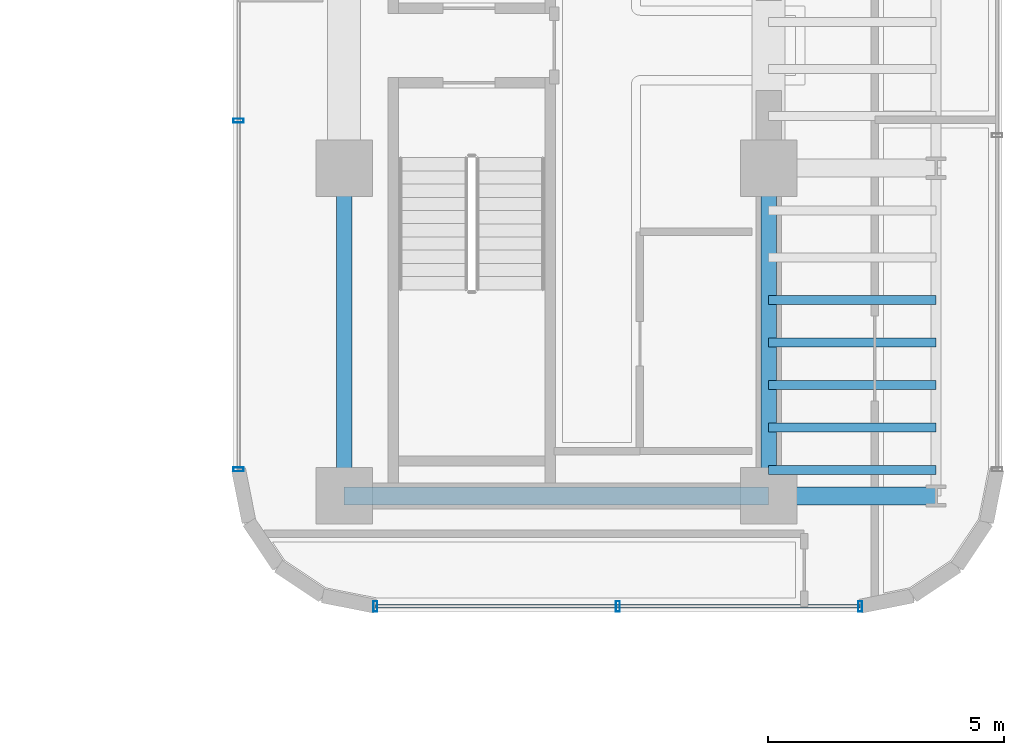
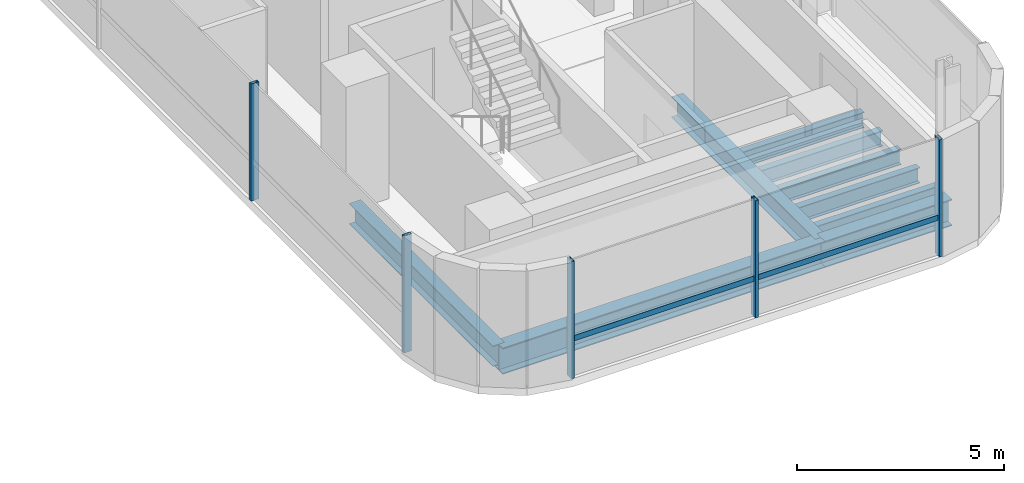
# One storey, part 13 of 34: 9 beams, 6 members, 2 elements without a shape of their own.
"""IFC4 building model written with IfcOpenShell, lengths in metres."""

from ifc_helpers import new_model, si_unit, direction, frame, origin, origin_2d, place, context, subcontext, project, spatial, hollow_rectangle, i_section, extrude, source, transform, mapped, material, material_profile, profile_set, type_object, element, aggregate, save


model = new_model("IFC4")

# Units and contexts
model_context = context("Model", 3, precision=1e-05, world=origin(), true_north=direction((0.0, 1.0)))
body_context = subcontext(model_context, "Body", "Model", "MODEL_VIEW")
ifc_project = project(units=[si_unit("LENGTHUNIT", "METRE"), si_unit("AREAUNIT", "SQUARE_METRE"), si_unit("VOLUMEUNIT", "CUBIC_METRE"), si_unit("PLANEANGLEUNIT", "RADIAN"), si_unit("MASSUNIT", "GRAM", prefix="KILO")], contexts=[model_context])

# Site, building, storey
site_placement = place(None, origin())
site = spatial("IfcSite", under=ifc_project, at=site_placement, CompositionType="ELEMENT")
building_placement = place(site_placement, origin())
building = spatial("IfcBuilding", under=site, at=building_placement, Name="Valdorenza Pilgrim Sanctuary Tower", CompositionType="ELEMENT")
storey_placement = place(building_placement, frame((0.0, 0.0, 164.89990234375)))
storey = spatial("IfcBuildingStorey", under=building, at=storey_placement, Name="L42", CompositionType="ELEMENT", Elevation=164.89990234375)

# Beams
ifc_material_1 = material(Name="Steel ASTM A992 Grade 50", Category="steel")
ifc_material_profile_1 = material_profile(ifc_material_1, i_section(OverallWidth=0.323974609375, OverallDepth=0.611083984375, WebThickness=0.0126953125, FlangeThickness=0.01904296875, at=origin_2d()), Name="W24X104")
ifc_profile_set_1 = profile_set([ifc_material_profile_1], Name="Steel ASTM A992 Grade 50")
beam_type_1 = type_object("IfcBeamType", Name="STR-BM-GRD-W24B", PredefinedType="BEAM", material=ifc_profile_set_1)
shared_shape_1 = source(origin(), body_context, "Body", "SweptSolid", [
    extrude(i_section(OverallWidth=0.323974609375, OverallDepth=0.611083984375, WebThickness=0.0126953125, FlangeThickness=0.01904296875, at=origin_2d()), origin(), (0.0, 0.0, 1.0), 6.949951171875),
])
for number, where, z_axis, x_axis, name in (
    (1, (15.85009765625, -9.550048828125, -0.54541015625), (0.0, 1.0, 0.0), (-1.0, 0.0, 0.0), "L42 Core Tie Girder CB-W-S1M0"),
    (2, (24.85009765625, -9.550048828125, -0.54541015625), (0.0, 1.0, 0.0), (-1.0, 0.0, 0.0), "L42 Core Tie Girder CB-E-S1M0"),
):
    element("IfcBeam", number, at=place(storey_placement, frame(where, z_axis=z_axis, x_axis=x_axis)), inside=storey, type_object=beam_type_1, Name=name, PredefinedType="BEAM", context=body_context, shape_type="MappedRepresentation", body=[
        mapped(shared_shape_1, transform((0.0, 0.0, 0.0), x_axis=(1.0, 0.0, 0.0), y_axis=(0.0, 1.0, 0.0), z_axis=(0.0, 0.0, 1.0), scale=1.0)),
    ])
ifc_material_profile_2 = material_profile(ifc_material_1, i_section(OverallWidth=0.382080078125, OverallDepth=0.779052734375, WebThickness=0.01806640625, FlangeThickness=0.030029296875, at=origin_2d()), Name="W30X191")
ifc_profile_set_2 = profile_set([ifc_material_profile_2], Name="Steel ASTM A992 Grade 50")
beam_type_2 = type_object("IfcBeamType", Name="STR-BM-GRD-W30", PredefinedType="BEAM", material=ifc_profile_set_2)
shared_shape_2 = source(origin(), body_context, "Body", "SweptSolid", [
    extrude(i_section(OverallWidth=0.382080078125, OverallDepth=0.779052734375, WebThickness=0.01806640625, FlangeThickness=0.030029296875, at=origin_2d()), origin(), (0.0, 0.0, 1.0), 9.0),
])
beam_1_placement = place(storey_placement, frame((15.85009765625, -9.550048828125, -0.62939453125), z_axis=(1.0, 0.0, 0.0), x_axis=(0.0, 1.0, 0.0)))
element("IfcBeam", 3, at=beam_1_placement, inside=storey, type_object=beam_type_2, Name="L42 Floor Girder CB-XC-S1", PredefinedType="BEAM", context=body_context, shape_type="MappedRepresentation", body=[
    mapped(shared_shape_2, transform((0.0, 0.0, 0.0), x_axis=(1.0, 0.0, 0.0), y_axis=(0.0, 1.0, 0.0), z_axis=(0.0, 0.0, 1.0), scale=1.0)),
])
shared_shape_3 = source(origin(), body_context, "Body", "SweptSolid", [
    extrude(i_section(OverallWidth=0.382080078125, OverallDepth=0.779052734375, WebThickness=0.01806640625, FlangeThickness=0.030029296875, at=origin_2d()), origin(), (0.0, 0.0, 1.0), 3.5498046875),
])
beam_2_placement = place(storey_placement, frame((24.85009765625, -9.550048828125, -0.62939453125), z_axis=(1.0, 0.0, 0.0), x_axis=(0.0, 1.0, 0.0)))
element("IfcBeam", 4, at=beam_2_placement, inside=storey, type_object=beam_type_2, Name="L42 Floor Girder WB-XE-S1", PredefinedType="BEAM", context=body_context, shape_type="MappedRepresentation", body=[
    mapped(shared_shape_3, transform((0.0, 0.0, 0.0), x_axis=(1.0, 0.0, 0.0), y_axis=(0.0, 1.0, 0.0), z_axis=(0.0, 0.0, 1.0), scale=1.0)),
])
ifc_material_profile_3 = material_profile(ifc_material_1, i_section(OverallWidth=0.19091796875, OverallDepth=0.45703125, WebThickness=0.009033203125, FlangeThickness=0.014404296875, at=origin_2d()), Name="W18X50")
ifc_profile_set_3 = profile_set([ifc_material_profile_3], Name="Steel ASTM A992 Grade 50")
beam_type_3 = type_object("IfcBeamType", Name="STR-BM-JST-W18B", PredefinedType="JOIST", material=ifc_profile_set_3)
shared_shape_4 = source(origin(), body_context, "Body", "SweptSolid", [
    extrude(i_section(OverallWidth=0.19091796875, OverallDepth=0.45703125, WebThickness=0.009033203125, FlangeThickness=0.014404296875, at=origin_2d()), origin(), (0.0, 0.0, 1.0), 3.5498046875),
])
for number, where, z_axis, x_axis, name in (
    (5, (24.85009765625, -9.0, -0.468505859375), (1.0, 0.0, 0.0), (0.0, 1.0, 0.0), "L42 Composite Floor Joist JST-WB-1"),
    (6, (24.85009765625, -8.10009765625, -0.468505859375), (1.0, 0.0, 0.0), (0.0, 1.0, 0.0), "L42 Composite Floor Joist JST-WB-2"),
    (7, (24.85009765625, -7.199951171875, -0.468505859375), (1.0, 0.0, 0.0), (0.0, 1.0, 0.0), "L42 Composite Floor Joist JST-WB-3"),
    (8, (24.85009765625, -6.300048828125, -0.468505859375), (1.0, 0.0, 0.0), (0.0, 1.0, 0.0), "L42 Composite Floor Joist JST-WB-4"),
    (9, (24.85009765625, -5.39990234375, -0.468505859375), (1.0, 0.0, 0.0), (0.0, 1.0, 0.0), "L42 Composite Floor Joist JST-WB-5"),
):
    element("IfcBeam", number, at=place(storey_placement, frame(where, z_axis=z_axis, x_axis=x_axis)), inside=storey, type_object=beam_type_3, Name=name, PredefinedType="JOIST", context=body_context, shape_type="MappedRepresentation", body=[
        mapped(shared_shape_4, transform((0.0, 0.0, 0.0), x_axis=(1.0, 0.0, 0.0), y_axis=(0.0, 1.0, 0.0), z_axis=(0.0, 0.0, 1.0), scale=1.0)),
    ])

# Curtain wall, members
ifc_material_2 = material(Name="Curtain-wall IGU glazing", Category="glass")
curtain_wall_type = type_object("IfcCurtainWallType", Name="CW-SYS-03", PredefinedType="NOTDEFINED", material=ifc_material_2)
curtain_wall_1_placement = place(storey_placement, origin())
curtain_wall_1 = element("IfcCurtainWall", 10, at=curtain_wall_1_placement, inside=storey, type_object=curtain_wall_type, Name="L42 Curtain Wall CW-L42-2-1", PredefinedType="NOTDEFINED")
ifc_material_3 = material(Name="Anodised aluminium AW-6060", Category="aluminium")
ifc_material_profile_4 = material_profile(ifc_material_3, hollow_rectangle(XDim=0.0849609375, YDim=0.219970703125, WallThickness=0.0048828125, at=origin_2d()), Name="ALU-M 220x85x5")
ifc_profile_set_4 = profile_set([ifc_material_profile_4], Name="Anodised aluminium AW-6060")
member_type_1 = type_object("IfcMemberType", Name="CW-MUL-03", PredefinedType="MULLION", material=ifc_profile_set_4)
shared_shape_5 = source(origin(), body_context, "Body", "SweptSolid", [
    extrude(hollow_rectangle(XDim=0.0849609375, YDim=0.219970703125, WallThickness=0.0048828125, at=origin_2d()), origin(), (0.0, 0.0, 1.0), 3.460205078125),
])
member_1_placement = place(storey_placement, frame((13.610107421875, -8.9892578125, 0.0), z_axis=(0.0, 0.0, 1.0), x_axis=(0.0, 1.0, 0.0)))
member_1 = element("IfcMember", 11, at=member_1_placement, type_object=member_type_1, Name="CW-L42-2-1 Mullion 1", PredefinedType="MULLION", context=body_context, shape_type="MappedRepresentation", body=[
    mapped(shared_shape_5, transform((0.0, 0.0, 0.0), x_axis=(1.0, 0.0, 0.0), y_axis=(0.0, 1.0, 0.0), z_axis=(0.0, 0.0, 1.0), scale=1.0)),
])
member_2_placement = place(storey_placement, frame((13.610107421875, -1.593017578125, 0.0), z_axis=(0.0, 0.0, 1.0), x_axis=(0.0, 1.0, 0.0)))
member_2 = element("IfcMember", 12, at=member_2_placement, type_object=member_type_1, Name="CW-L42-2-1 Mullion 2", PredefinedType="MULLION", context=body_context, shape_type="MappedRepresentation", body=[
    mapped(shared_shape_5, transform((0.0, 0.0, 0.0), x_axis=(1.0, 0.0, 0.0), y_axis=(0.0, 1.0, 0.0), z_axis=(0.0, 0.0, 1.0), scale=1.0)),
])
aggregate(curtain_wall_1, [member_1, member_2])

curtain_wall_2_placement = place(storey_placement, origin())
curtain_wall_2 = element("IfcCurtainWall", 13, at=curtain_wall_2_placement, inside=storey, type_object=curtain_wall_type, Name="L42 Curtain Wall CW-L42-2-16", PredefinedType="NOTDEFINED")
member_3_placement = place(storey_placement, frame((26.789306640625, -11.889892578125, 0.0), z_axis=(0.0, 0.0, 1.0), x_axis=(-1.0, 0.0, 0.0)))
member_3 = element("IfcMember", 14, at=member_3_placement, type_object=member_type_1, Name="CW-L42-2-16 Mullion 1", PredefinedType="MULLION", context=body_context, shape_type="MappedRepresentation", body=[
    mapped(shared_shape_5, transform((0.0, 0.0, 0.0), x_axis=(1.0, 0.0, 0.0), y_axis=(0.0, 1.0, 0.0), z_axis=(0.0, 0.0, 1.0), scale=1.0)),
])
member_4_placement = place(storey_placement, frame((21.64990234375, -11.889892578125, 0.0), z_axis=(0.0, 0.0, 1.0), x_axis=(-1.0, 0.0, 0.0)))
member_4 = element("IfcMember", 15, at=member_4_placement, type_object=member_type_1, Name="CW-L42-2-16 Mullion 2", PredefinedType="MULLION", context=body_context, shape_type="MappedRepresentation", body=[
    mapped(shared_shape_5, transform((0.0, 0.0, 0.0), x_axis=(1.0, 0.0, 0.0), y_axis=(0.0, 1.0, 0.0), z_axis=(0.0, 0.0, 1.0), scale=1.0)),
])
member_5_placement = place(storey_placement, frame((16.5107421875, -11.889892578125, 0.0), z_axis=(0.0, 0.0, 1.0), x_axis=(-1.0, 0.0, 0.0)))
member_5 = element("IfcMember", 16, at=member_5_placement, type_object=member_type_1, Name="CW-L42-2-16 Mullion 3", PredefinedType="MULLION", context=body_context, shape_type="MappedRepresentation", body=[
    mapped(shared_shape_5, transform((0.0, 0.0, 0.0), x_axis=(1.0, 0.0, 0.0), y_axis=(0.0, 1.0, 0.0), z_axis=(0.0, 0.0, 1.0), scale=1.0)),
])
ifc_material_profile_5 = material_profile(ifc_material_3, hollow_rectangle(XDim=0.074951171875, YDim=0.159912109375, WallThickness=0.00390625, at=origin_2d()), Name="ALU-T 160x75x4")
ifc_profile_set_5 = profile_set([ifc_material_profile_5], Name="Anodised aluminium AW-6060")
member_type_2 = type_object("IfcMemberType", Name="CW-TRN-03", PredefinedType="USERDEFINED", material=ifc_profile_set_5)
shared_shape_6 = source(origin(), body_context, "Body", "SweptSolid", [
    extrude(hollow_rectangle(XDim=0.074951171875, YDim=0.159912109375, WallThickness=0.00390625, at=origin_2d()), origin(), (0.0, 0.0, 1.0), 10.278564453125),
])
member_6_placement = place(storey_placement, frame((26.789306640625, -11.889892578125, 1.1201171875), z_axis=(-1.0, 0.0, 0.0), x_axis=(0.0, -1.0, 0.0)))
member_6 = element("IfcMember", 17, at=member_6_placement, type_object=member_type_2, Name="CW-L42-2-16 Transom 1", ObjectType="TRANSOM", PredefinedType="USERDEFINED", context=body_context, shape_type="MappedRepresentation", body=[
    mapped(shared_shape_6, transform((0.0, 0.0, 0.0), x_axis=(1.0, 0.0, 0.0), y_axis=(0.0, 1.0, 0.0), z_axis=(0.0, 0.0, 1.0), scale=1.0)),
])
aggregate(curtain_wall_2, [member_3, member_4, member_5, member_6])

save(model, "model.ifc")
